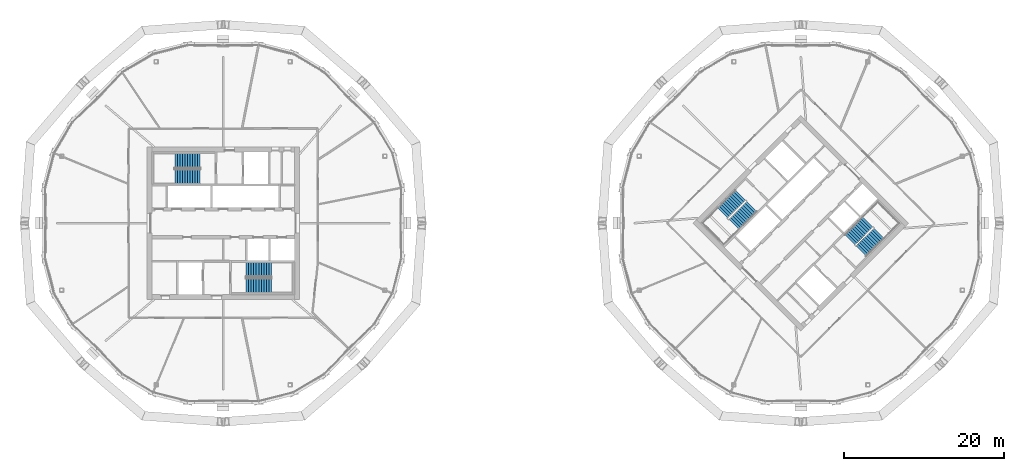
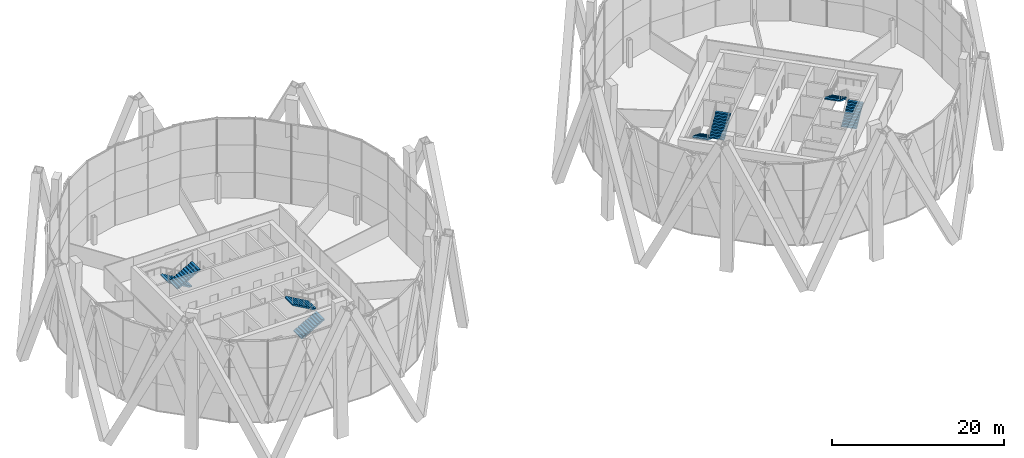
# One storey, part 20 of 23: 8 stair flights, 4 elements without a shape of their own.
"""IFC4 building model written with IfcOpenShell, lengths in metres."""

from ifc_helpers import new_model, si_unit, direction, frame, origin, place, context, subcontext, project, spatial, polyline, outline, extrude, material, type_object, element, aggregate, save


model = new_model("IFC4")

# Units and contexts
model_context = context("Model", 3, precision=1e-05, world=origin(), true_north=direction((0.0, 1.0)))
body_context = subcontext(model_context, "Body", "Model", "MODEL_VIEW")
ifc_project = project(units=[si_unit("LENGTHUNIT", "METRE"), si_unit("AREAUNIT", "SQUARE_METRE"), si_unit("VOLUMEUNIT", "CUBIC_METRE"), si_unit("PLANEANGLEUNIT", "RADIAN"), si_unit("MASSUNIT", "GRAM", prefix="KILO")], contexts=[model_context])

# Site, building, storey
site_placement = place(None, origin())
site = spatial("IfcSite", under=ifc_project, at=site_placement, CompositionType="ELEMENT")
building_placement = place(site_placement, origin())
building = spatial("IfcBuilding", under=site, at=building_placement, Name="Ogive Gate Towers", CompositionType="ELEMENT")
storey_placement = place(building_placement, frame((0.0, 0.0, 165.60009765625)))
storey = spatial("IfcBuildingStorey", under=building, at=storey_placement, Name="L39", CompositionType="ELEMENT", Elevation=165.60009765625)

# Stair, stair flights
ifc_material = material(Name="Concrete C40/50", Category="concrete")
stair_type = type_object("IfcStairType", Name="Escape stair 1840 wide", PredefinedType="HALF_TURN_STAIR", material=ifc_material)
stair_1_placement = place(storey_placement, origin())
stair_1 = element("IfcStair", 1, at=stair_1_placement, inside=storey, type_object=stair_type, Name="L39 Escape stair 1", PredefinedType="HALF_TURN_STAIR")
stair_flight_type = type_object("IfcStairFlightType", Name="Stair flight 1840 wide", PredefinedType="STRAIGHT", material=ifc_material)
stair_flight_1_placement = place(storey_placement, frame((-38.864990234375, 7.780029296875, 0.0), z_axis=(0.0, 0.0, 1.0), x_axis=(-1.0, 0.0, 0.0)))
stair_flight_1 = element("IfcStairFlight", 2, at=stair_flight_1_placement, type_object=stair_flight_type, Name="ST1 flight 1", NumberOfRisers=11, NumberOfTreads=10, PredefinedType="STRAIGHT", RiserHeight=0.177272727, TreadLength=0.313636364, context=body_context, shape_type="SweptSolid", body=[
    extrude(outline(polyline([(0.0, 0.0), (0.0, 0.17724609375), (0.313720703125, 0.17724609375), (0.313720703125, 0.3544921875), (0.627197265625, 0.3544921875), (0.627197265625, 0.53173828125), (0.94091796875, 0.53173828125), (0.94091796875, 0.708984375), (1.254638671875, 0.708984375), (1.254638671875, 0.886474609375), (1.568115234375, 0.886474609375), (1.568115234375, 1.063720703125), (1.8818359375, 1.063720703125), (1.8818359375, 1.240966796875), (2.195556640625, 1.240966796875), (2.195556640625, 1.418212890625), (2.509033203125, 1.418212890625), (2.509033203125, 1.595458984375), (2.82275390625, 1.595458984375), (2.82275390625, 1.772705078125), (3.136474609375, 1.772705078125), (3.136474609375, 1.949951171875), (3.136474609375, 1.6005859375), (0.3046875, 0.0), (0.0, 0.0)])), frame((0.0, 0.919921875, 0.0), z_axis=(0.0, -1.0, 0.0), x_axis=(1.0, 0.0, 0.0)), (0.0, 0.0, 1.0), 1.840087890625),
])
stair_flight_2_placement = place(storey_placement, frame((-42.00146484375, 5.794921875, 1.949951171875), z_axis=(0.0, 0.0, 1.0), x_axis=(1.0, 0.0, 0.0)))
stair_flight_2 = element("IfcStairFlight", 3, at=stair_flight_2_placement, type_object=stair_flight_type, Name="ST1 flight 2", NumberOfRisers=11, NumberOfTreads=10, PredefinedType="STRAIGHT", RiserHeight=0.177272727, TreadLength=0.313636364, context=body_context, shape_type="SweptSolid", body=[
    extrude(outline(polyline([(0.0, 0.0), (0.0, 0.17724609375), (0.313720703125, 0.17724609375), (0.313720703125, 0.3544921875), (0.627197265625, 0.3544921875), (0.627197265625, 0.53173828125), (0.94091796875, 0.53173828125), (0.94091796875, 0.708984375), (1.254638671875, 0.708984375), (1.254638671875, 0.886474609375), (1.568115234375, 0.886474609375), (1.568115234375, 1.063720703125), (1.8818359375, 1.063720703125), (1.8818359375, 1.240966796875), (2.195556640625, 1.240966796875), (2.195556640625, 1.418212890625), (2.509033203125, 1.418212890625), (2.509033203125, 1.595458984375), (2.82275390625, 1.595458984375), (2.82275390625, 1.772705078125), (3.136474609375, 1.772705078125), (3.136474609375, 1.949951171875), (3.136474609375, 1.6005859375), (0.3046875, 0.0), (0.0, 0.0)])), frame((0.0, 0.919921875, 0.0), z_axis=(0.0, -1.0, 0.0), x_axis=(1.0, 0.0, 0.0)), (0.0, 0.0, 1.0), 1.840087890625),
])
aggregate(stair_1, [stair_flight_1, stair_flight_2])

stair_2_placement = place(storey_placement, origin())
stair_2 = element("IfcStair", 4, at=stair_2_placement, inside=storey, type_object=stair_type, Name="L39 Escape stair 2", PredefinedType="HALF_TURN_STAIR")
stair_flight_3_placement = place(storey_placement, frame((-33.135009765625, -7.780029296875, 0.0), z_axis=(0.0, 0.0, 1.0), x_axis=(1.0, 0.0, 0.0)))
stair_flight_3 = element("IfcStairFlight", 5, at=stair_flight_3_placement, type_object=stair_flight_type, Name="ST2 flight 1", NumberOfRisers=11, NumberOfTreads=10, PredefinedType="STRAIGHT", RiserHeight=0.177272727, TreadLength=0.313636364, context=body_context, shape_type="SweptSolid", body=[
    extrude(outline(polyline([(0.0, 0.0), (0.0, 0.17724609375), (0.313720703125, 0.17724609375), (0.313720703125, 0.3544921875), (0.627197265625, 0.3544921875), (0.627197265625, 0.53173828125), (0.94091796875, 0.53173828125), (0.94091796875, 0.708984375), (1.254638671875, 0.708984375), (1.254638671875, 0.886474609375), (1.568115234375, 0.886474609375), (1.568115234375, 1.063720703125), (1.8818359375, 1.063720703125), (1.8818359375, 1.240966796875), (2.195556640625, 1.240966796875), (2.195556640625, 1.418212890625), (2.509033203125, 1.418212890625), (2.509033203125, 1.595458984375), (2.82275390625, 1.595458984375), (2.82275390625, 1.772705078125), (3.136474609375, 1.772705078125), (3.136474609375, 1.949951171875), (3.136474609375, 1.6005859375), (0.3046875, 0.0), (0.0, 0.0)])), frame((0.0, 0.919921875, 0.0), z_axis=(0.0, -1.0, 0.0), x_axis=(1.0, 0.0, 0.0)), (0.0, 0.0, 1.0), 1.840087890625),
])
stair_flight_4_placement = place(storey_placement, frame((-29.99853515625, -5.794921875, 1.949951171875), z_axis=(0.0, 0.0, 1.0), x_axis=(-1.0, 0.0, 0.0)))
stair_flight_4 = element("IfcStairFlight", 6, at=stair_flight_4_placement, type_object=stair_flight_type, Name="ST2 flight 2", NumberOfRisers=11, NumberOfTreads=10, PredefinedType="STRAIGHT", RiserHeight=0.177272727, TreadLength=0.313636364, context=body_context, shape_type="SweptSolid", body=[
    extrude(outline(polyline([(0.0, 0.0), (0.0, 0.17724609375), (0.313720703125, 0.17724609375), (0.313720703125, 0.3544921875), (0.627197265625, 0.3544921875), (0.627197265625, 0.53173828125), (0.94091796875, 0.53173828125), (0.94091796875, 0.708984375), (1.254638671875, 0.708984375), (1.254638671875, 0.886474609375), (1.568115234375, 0.886474609375), (1.568115234375, 1.063720703125), (1.8818359375, 1.063720703125), (1.8818359375, 1.240966796875), (2.195556640625, 1.240966796875), (2.195556640625, 1.418212890625), (2.509033203125, 1.418212890625), (2.509033203125, 1.595458984375), (2.82275390625, 1.595458984375), (2.82275390625, 1.772705078125), (3.136474609375, 1.772705078125), (3.136474609375, 1.949951171875), (3.136474609375, 1.6005859375), (0.3046875, 0.0), (0.0, 0.0)])), frame((0.0, 0.919921875, 0.0), z_axis=(0.0, -1.0, 0.0), x_axis=(1.0, 0.0, 0.0)), (0.0, 0.0, 1.0), 1.840087890625),
])
aggregate(stair_2, [stair_flight_3, stair_flight_4])

stair_3_placement = place(storey_placement, origin())
stair_3 = element("IfcStair", 7, at=stair_3_placement, inside=storey, type_object=stair_type, Name="L39 Escape stair 1", PredefinedType="HALF_TURN_STAIR")
stair_flight_5_placement = place(storey_placement, frame((28.472900390625, 3.475341796875, 0.0), z_axis=(0.0, 0.0, 1.0), x_axis=(-0.707106781187, -0.707106781187, 0.0)))
stair_flight_5 = element("IfcStairFlight", 8, at=stair_flight_5_placement, type_object=stair_flight_type, Name="ST1 flight 1", NumberOfRisers=11, NumberOfTreads=10, PredefinedType="STRAIGHT", RiserHeight=0.177272727, TreadLength=0.313636364, context=body_context, shape_type="SweptSolid", body=[
    extrude(outline(polyline([(0.0, 0.0), (0.0, 0.17724609375), (0.313720703125, 0.17724609375), (0.313720703125, 0.3544921875), (0.627197265625, 0.3544921875), (0.627197265625, 0.53173828125), (0.94091796875, 0.53173828125), (0.94091796875, 0.708984375), (1.254638671875, 0.708984375), (1.254638671875, 0.886474609375), (1.568115234375, 0.886474609375), (1.568115234375, 1.063720703125), (1.8818359375, 1.063720703125), (1.8818359375, 1.240966796875), (2.195556640625, 1.240966796875), (2.195556640625, 1.418212890625), (2.509033203125, 1.418212890625), (2.509033203125, 1.595458984375), (2.82275390625, 1.595458984375), (2.82275390625, 1.772705078125), (3.136474609375, 1.772705078125), (3.136474609375, 1.949951171875), (3.136474609375, 1.6005859375), (0.3046875, 0.0), (0.0, 0.0)])), frame((0.0, 0.919921875, 0.0), z_axis=(0.0, -1.0, 0.0), x_axis=(1.0, 0.0, 0.0)), (0.0, 0.0, 1.0), 1.840087890625),
])
stair_flight_6_placement = place(storey_placement, frame((27.65869140625, -0.14599609375, 1.949951171875), z_axis=(0.0, 0.0, 1.0), x_axis=(0.707106781187, 0.707106781187, 0.0)))
stair_flight_6 = element("IfcStairFlight", 9, at=stair_flight_6_placement, type_object=stair_flight_type, Name="ST1 flight 2", NumberOfRisers=11, NumberOfTreads=10, PredefinedType="STRAIGHT", RiserHeight=0.177272727, TreadLength=0.313636364, context=body_context, shape_type="SweptSolid", body=[
    extrude(outline(polyline([(0.0, 0.0), (0.0, 0.17724609375), (0.313720703125, 0.17724609375), (0.313720703125, 0.3544921875), (0.627197265625, 0.3544921875), (0.627197265625, 0.53173828125), (0.94091796875, 0.53173828125), (0.94091796875, 0.708984375), (1.254638671875, 0.708984375), (1.254638671875, 0.886474609375), (1.568115234375, 0.886474609375), (1.568115234375, 1.063720703125), (1.8818359375, 1.063720703125), (1.8818359375, 1.240966796875), (2.195556640625, 1.240966796875), (2.195556640625, 1.418212890625), (2.509033203125, 1.418212890625), (2.509033203125, 1.595458984375), (2.82275390625, 1.595458984375), (2.82275390625, 1.772705078125), (3.136474609375, 1.772705078125), (3.136474609375, 1.949951171875), (3.136474609375, 1.6005859375), (0.3046875, 0.0), (0.0, 0.0)])), frame((0.0, 0.919921875, 0.0), z_axis=(0.0, -1.0, 0.0), x_axis=(1.0, 0.0, 0.0)), (0.0, 0.0, 1.0), 1.840087890625),
])
aggregate(stair_3, [stair_flight_5, stair_flight_6])

stair_4_placement = place(storey_placement, origin())
stair_4 = element("IfcStair", 10, at=stair_4_placement, inside=storey, type_object=stair_type, Name="L39 Escape stair 2", PredefinedType="HALF_TURN_STAIR")
stair_flight_7_placement = place(storey_placement, frame((43.527099609375, -3.475341796875, 0.0), z_axis=(0.0, 0.0, 1.0), x_axis=(0.707106781187, 0.707106781187, 0.0)))
stair_flight_7 = element("IfcStairFlight", 11, at=stair_flight_7_placement, type_object=stair_flight_type, Name="ST2 flight 1", NumberOfRisers=11, NumberOfTreads=10, PredefinedType="STRAIGHT", RiserHeight=0.177272727, TreadLength=0.313636364, context=body_context, shape_type="SweptSolid", body=[
    extrude(outline(polyline([(0.0, 0.0), (0.0, 0.17724609375), (0.313720703125, 0.17724609375), (0.313720703125, 0.3544921875), (0.627197265625, 0.3544921875), (0.627197265625, 0.53173828125), (0.94091796875, 0.53173828125), (0.94091796875, 0.708984375), (1.254638671875, 0.708984375), (1.254638671875, 0.886474609375), (1.568115234375, 0.886474609375), (1.568115234375, 1.063720703125), (1.8818359375, 1.063720703125), (1.8818359375, 1.240966796875), (2.195556640625, 1.240966796875), (2.195556640625, 1.418212890625), (2.509033203125, 1.418212890625), (2.509033203125, 1.595458984375), (2.82275390625, 1.595458984375), (2.82275390625, 1.772705078125), (3.136474609375, 1.772705078125), (3.136474609375, 1.949951171875), (3.136474609375, 1.6005859375), (0.3046875, 0.0), (0.0, 0.0)])), frame((0.0, 0.919921875, 0.0), z_axis=(0.0, -1.0, 0.0), x_axis=(1.0, 0.0, 0.0)), (0.0, 0.0, 1.0), 1.840087890625),
])
stair_flight_8_placement = place(storey_placement, frame((44.34130859375, 0.14599609375, 1.949951171875), z_axis=(0.0, 0.0, 1.0), x_axis=(-0.707106781187, -0.707106781187, 0.0)))
stair_flight_8 = element("IfcStairFlight", 12, at=stair_flight_8_placement, type_object=stair_flight_type, Name="ST2 flight 2", NumberOfRisers=11, NumberOfTreads=10, PredefinedType="STRAIGHT", RiserHeight=0.177272727, TreadLength=0.313636364, context=body_context, shape_type="SweptSolid", body=[
    extrude(outline(polyline([(0.0, 0.0), (0.0, 0.17724609375), (0.313720703125, 0.17724609375), (0.313720703125, 0.3544921875), (0.627197265625, 0.3544921875), (0.627197265625, 0.53173828125), (0.94091796875, 0.53173828125), (0.94091796875, 0.708984375), (1.254638671875, 0.708984375), (1.254638671875, 0.886474609375), (1.568115234375, 0.886474609375), (1.568115234375, 1.063720703125), (1.8818359375, 1.063720703125), (1.8818359375, 1.240966796875), (2.195556640625, 1.240966796875), (2.195556640625, 1.418212890625), (2.509033203125, 1.418212890625), (2.509033203125, 1.595458984375), (2.82275390625, 1.595458984375), (2.82275390625, 1.772705078125), (3.136474609375, 1.772705078125), (3.136474609375, 1.949951171875), (3.136474609375, 1.6005859375), (0.3046875, 0.0), (0.0, 0.0)])), frame((0.0, 0.919921875, 0.0), z_axis=(0.0, -1.0, 0.0), x_axis=(1.0, 0.0, 0.0)), (0.0, 0.0, 1.0), 1.840087890625),
])
aggregate(stair_4, [stair_flight_7, stair_flight_8])

save(model, "model.ifc")
